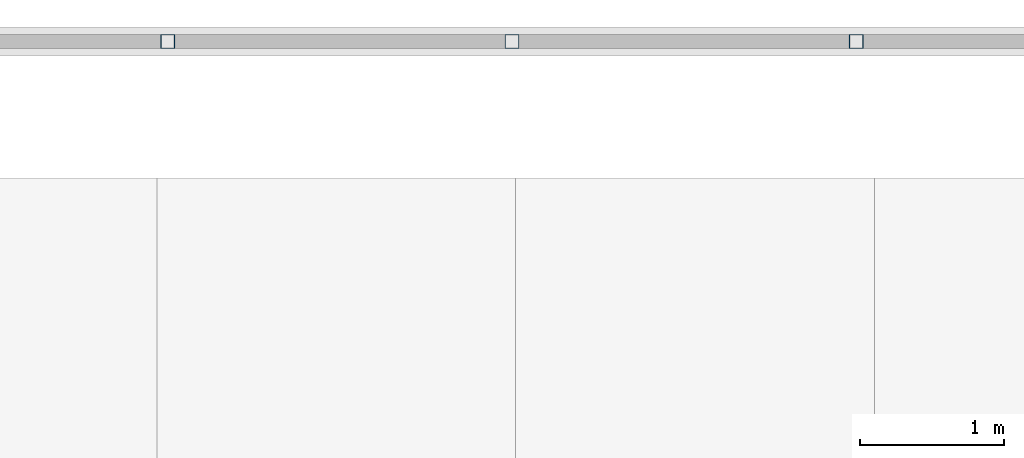
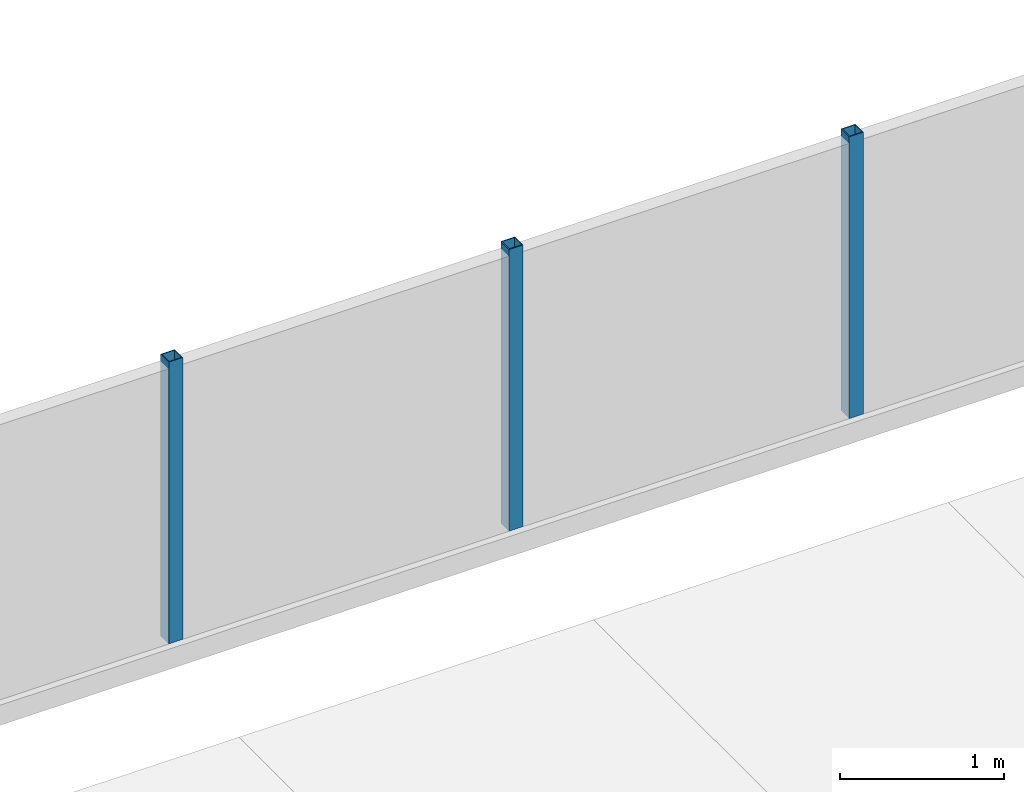
# One storey, part 29 of 129: 3 members.
"""IFC4 building model written with IfcOpenShell, lengths in metres."""

from ifc_helpers import new_model, si_unit, direction, frame, origin, origin_2d, place, context, subcontext, project, spatial, hollow_rectangle, extrude, material, material_profile, profile_set, type_object, element, save


model = new_model("IFC4")

# Units and contexts
model_context = context("Model", 3, precision=1e-05, world=origin(), true_north=direction((0.0, 1.0)))
body_context = subcontext(model_context, "Body", "Model", "MODEL_VIEW")
ifc_project = project(units=[si_unit("LENGTHUNIT", "METRE"), si_unit("AREAUNIT", "SQUARE_METRE"), si_unit("VOLUMEUNIT", "CUBIC_METRE"), si_unit("PLANEANGLEUNIT", "RADIAN"), si_unit("MASSUNIT", "GRAM", prefix="KILO")], contexts=[model_context])

# Site, building, storey
site_placement = place(None, origin())
site = spatial("IfcSite", under=ifc_project, at=site_placement, CompositionType="ELEMENT")
building_placement = place(site_placement, origin())
building = spatial("IfcBuilding", under=site, at=building_placement, Name="Kiln Court Media Centre", CompositionType="ELEMENT")
storey_placement = place(building_placement, origin())
storey = spatial("IfcBuildingStorey", under=building, at=storey_placement, Name="L00", CompositionType="ELEMENT", Elevation=0.0)

# Members
ifc_material = material(Name="Steel ASTM A500 Gr C", Category="steel")
ifc_material_profile = material_profile(ifc_material, hollow_rectangle(XDim=0.10009765625, YDim=0.10009765625, WallThickness=0.00634765625, at=origin_2d()), Name="SHS 100x100x6.3")
ifc_profile_set = profile_set([ifc_material_profile], Name="Steel ASTM A500 Gr C")
member_type = type_object("IfcMemberType", Name="Steel ASTM A500 Gr C fence post SHS 100x100x6.3", PredefinedType="USERDEFINED", material=ifc_profile_set)
for number, where, z_axis, x_axis, name in (
    (1, (122.3759765625, 87.85009765625, -1.050048828125), (0.0, 0.0, 1.0), (1.0, 0.0, 0.0), "Fence post 50"),
    (2, (124.7744140625, 87.85009765625, -1.050048828125), (0.0, 0.0, 1.0), (1.0, 0.0, 0.0), "Fence post 51"),
    (3, (127.1728515625, 87.85009765625, -1.050048828125), (0.0, 0.0, 1.0), (1.0, 0.0, 0.0), "Fence post 52"),
):
    element("IfcMember", number, at=place(storey_placement, frame(where, z_axis=z_axis, x_axis=x_axis)), inside=storey, type_object=member_type, Name=name, ObjectType="FENCE POST", PredefinedType="USERDEFINED", context=body_context, shape_type="SweptSolid", body=[
        extrude(hollow_rectangle(XDim=0.10009765625, YDim=0.10009765625, WallThickness=0.00634765625, at=origin_2d()), origin(), (0.0, 0.0, 1.0), 2.10009765625),
    ])

save(model, "model.ifc")
